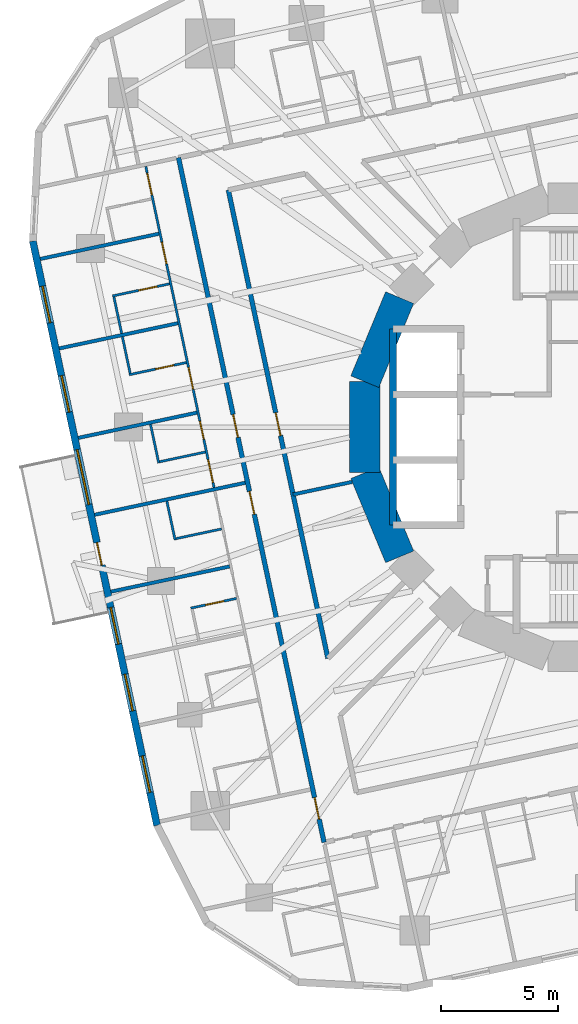
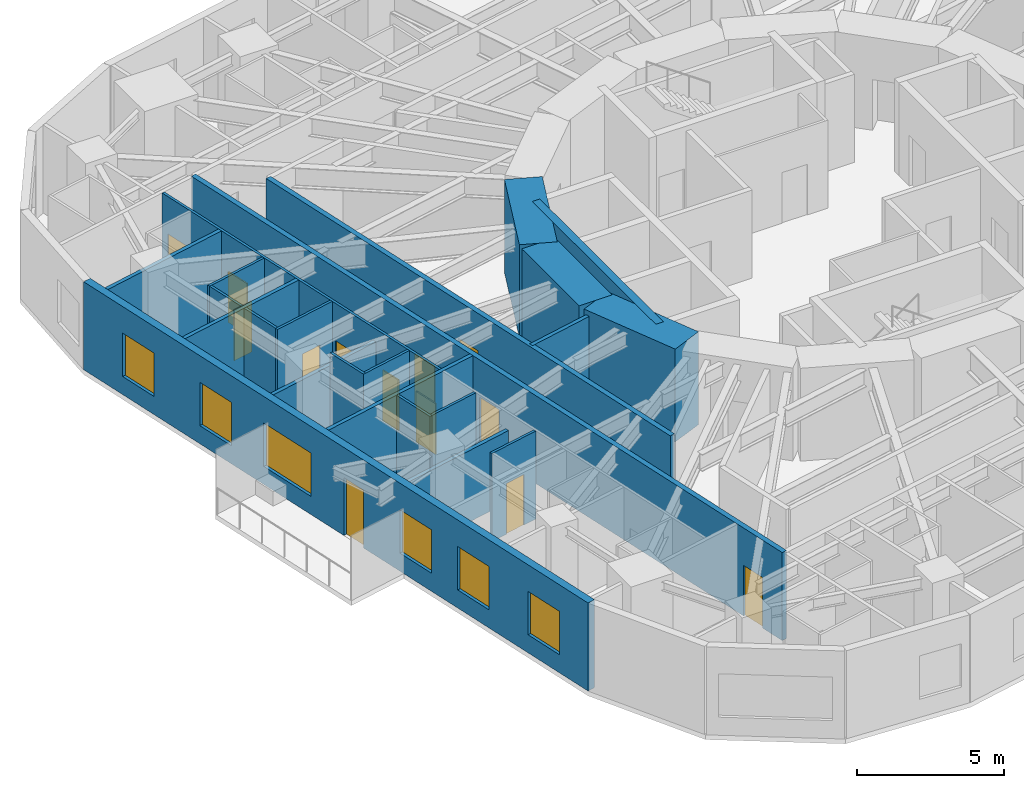
# One storey, part 6 of 14: 23 walls, 13 doors, 6 windows, 19 openings.
"""IFC4 building model written with IfcOpenShell, lengths in metres."""

from ifc_helpers import new_model, si_unit, direction, frame, frame_2d, origin, place, context, subcontext, project, spatial, rectangle, extrude, material, layer, layer_set, type_object, element, fill, save


model = new_model("IFC4")

# Units and contexts
model_context = context("Model", 3, precision=1e-05, world=origin(), true_north=direction((0.0, 1.0)))
body_context = subcontext(model_context, "Body", "Model", "MODEL_VIEW")
ifc_project = project(units=[si_unit("LENGTHUNIT", "METRE"), si_unit("AREAUNIT", "SQUARE_METRE"), si_unit("VOLUMEUNIT", "CUBIC_METRE"), si_unit("PLANEANGLEUNIT", "RADIAN"), si_unit("MASSUNIT", "GRAM", prefix="KILO")], contexts=[model_context])

# Site, building, storey
site_placement = place(None, origin())
site = spatial("IfcSite", under=ifc_project, at=site_placement, CompositionType="ELEMENT")
building_placement = place(site_placement, origin())
building = spatial("IfcBuilding", under=site, at=building_placement, Name="Nakasero Lantern House", CompositionType="ELEMENT")
storey_placement = place(building_placement, frame((0.0, 0.0, 128.10009765625)))
storey = spatial("IfcBuildingStorey", under=building, at=storey_placement, Name="L31", CompositionType="ELEMENT", Elevation=128.10009765625)

# Wall, openings, doors
ifc_material_1 = material(Name="Blockwork", Category="masonry")
ifc_layer_1 = layer(ifc_material_1, 0.10009765625)
ifc_layer_set_1 = layer_set([ifc_layer_1], Name="Cluster hall wall 100")
wall_type_1 = type_object("IfcWallType", Name="Cluster hall wall 100", PredefinedType="PARTITIONING", material=ifc_layer_set_1)
wall_1_placement = place(storey_placement, frame((-19.193603515625, 11.1787109375, 0.0), z_axis=(0.0, 0.0, 1.0), x_axis=(0.207904606415, -0.978149106543, 0.0)))
wall_1 = element("IfcWall", 1, at=wall_1_placement, inside=storey, type_object=wall_type_1, Name="Cluster hall wall L31 HW2-0", PredefinedType="PARTITIONING", context=body_context, shape_type="SweptSolid", body=[
    extrude(rectangle(XDim=14.073974609375, YDim=0.10009765625, at=frame_2d((7.037109375, 0.0))), origin(), (0.0, 0.0, 1.0), 3.64990234375),
])
opening_1_placement = place(wall_1_placement, frame((12.848876953125, 0.0, 0.0)))
opening_1 = element("IfcOpeningElement", 2, at=opening_1_placement, cuts=wall_1, Name="Opening D03", PredefinedType="OPENING", context=body_context, shape_type="SweptSolid", body=[
    extrude(rectangle(XDim=1.0, YDim=2.10009765625, at=frame_2d((0.5, 1.050048828125))), frame((0.0, 0.070068359375, 0.0), z_axis=(0.0, -1.0, 0.0), x_axis=(1.0, 0.0, 0.0)), (0.0, 0.0, 1.0), 0.14013671875),
])
opening_2_placement = place(wall_1_placement, frame((11.155029296875, 0.0, 0.0)))
opening_2 = element("IfcOpeningElement", 3, at=opening_2_placement, cuts=wall_1, Name="Opening D02", PredefinedType="OPENING", context=body_context, shape_type="SweptSolid", body=[
    extrude(rectangle(XDim=0.800048828125, YDim=2.10009765625, at=frame_2d((0.39990234375, 1.050048828125))), frame((0.0, 0.070068359375, 0.0), z_axis=(0.0, -1.0, 0.0), x_axis=(1.0, 0.0, 0.0)), (0.0, 0.0, 1.0), 0.14013671875),
])
opening_3_placement = place(wall_1_placement, frame((0.300048828125, 0.0, 0.0)))
opening_3 = element("IfcOpeningElement", 4, at=opening_3_placement, cuts=wall_1, Name="Opening D01", PredefinedType="OPENING", context=body_context, shape_type="SweptSolid", body=[
    extrude(rectangle(XDim=0.949951171875, YDim=2.10009765625, at=frame_2d((0.47509765625, 1.050048828125))), frame((0.0, 0.070068359375, 0.0), z_axis=(0.0, -1.0, 0.0), x_axis=(1.0, 0.0, 0.0)), (0.0, 0.0, 1.0), 0.14013671875),
])
opening_4_placement = place(wall_1_placement, frame((3.316162109375, 0.0, 0.0)))
opening_4 = element("IfcOpeningElement", 5, at=opening_4_placement, cuts=wall_1, Name="Opening D01", PredefinedType="OPENING", context=body_context, shape_type="SweptSolid", body=[
    extrude(rectangle(XDim=0.949951171875, YDim=2.10009765625, at=frame_2d((0.47509765625, 1.050048828125))), frame((0.0, 0.070068359375, 0.0), z_axis=(0.0, -1.0, 0.0), x_axis=(1.0, 0.0, 0.0)), (0.0, 0.0, 1.0), 0.14013671875),
])
opening_5_placement = place(wall_1_placement, frame((8.810546875, 0.0, 0.0)))
opening_5 = element("IfcOpeningElement", 6, at=opening_5_placement, cuts=wall_1, Name="Opening D01", PredefinedType="OPENING", context=body_context, shape_type="SweptSolid", body=[
    extrude(rectangle(XDim=0.949951171875, YDim=2.10009765625, at=frame_2d((0.47509765625, 1.050048828125))), frame((0.0, 0.070068359375, 0.0), z_axis=(0.0, -1.0, 0.0), x_axis=(1.0, 0.0, 0.0)), (0.0, 0.0, 1.0), 0.14013671875),
])
ifc_material_2 = material(Name="Timber C24", Category="wood")
door_type_1 = type_object("IfcDoorType", Name="Bedroom door FD30S 950", OperationType="SINGLE_SWING_LEFT", PredefinedType="DOOR", material=ifc_material_2)
door_1_placement = place(opening_3_placement, origin())
door_1 = element("IfcDoor", 7, at=door_1_placement, inside=storey, type_object=door_type_1, Name="Door L31 D2-00", OperationType="SINGLE_SWING_LEFT", OverallHeight=2.10009765625, OverallWidth=0.949951171875, PredefinedType="DOOR", context=body_context, shape_type="SweptSolid", body=[
    extrude(rectangle(XDim=0.949951171875, YDim=2.10009765625, at=frame_2d((0.47509765625, 1.050048828125))), frame((0.0, 0.02490234375, 0.0), z_axis=(0.0, -1.0, 0.0), x_axis=(1.0, 0.0, 0.0)), (0.0, 0.0, 1.0), 0.050048828125),
])
fill(opening_3, door_1)
door_2_placement = place(opening_4_placement, origin())
door_2 = element("IfcDoor", 8, at=door_2_placement, inside=storey, type_object=door_type_1, Name="Door L31 D2-01", OperationType="SINGLE_SWING_LEFT", OverallHeight=2.10009765625, OverallWidth=0.949951171875, PredefinedType="DOOR", context=body_context, shape_type="SweptSolid", body=[
    extrude(rectangle(XDim=0.949951171875, YDim=2.10009765625, at=frame_2d((0.47509765625, 1.050048828125))), frame((0.0, 0.02490234375, 0.0), z_axis=(0.0, -1.0, 0.0), x_axis=(1.0, 0.0, 0.0)), (0.0, 0.0, 1.0), 0.050048828125),
])
fill(opening_4, door_2)
door_3_placement = place(opening_5_placement, origin())
door_3 = element("IfcDoor", 9, at=door_3_placement, inside=storey, type_object=door_type_1, Name="Door L31 D2-02", OperationType="SINGLE_SWING_RIGHT", OverallHeight=2.10009765625, OverallWidth=0.949951171875, PredefinedType="DOOR", context=body_context, shape_type="SweptSolid", body=[
    extrude(rectangle(XDim=0.949951171875, YDim=2.10009765625, at=frame_2d((0.47509765625, 1.050048828125))), frame((0.0, 0.02490234375, 0.0), z_axis=(0.0, -1.0, 0.0), x_axis=(1.0, 0.0, 0.0)), (0.0, 0.0, 1.0), 0.050048828125),
])
fill(opening_5, door_3)
ifc_material_3 = material(Name="Timber C24", Category="wood")
door_type_2 = type_object("IfcDoorType", Name="En-suite door 800", OperationType="SINGLE_SWING_RIGHT", PredefinedType="DOOR", material=ifc_material_3)
door_4_placement = place(opening_2_placement, origin())
door_4 = element("IfcDoor", 10, at=door_4_placement, inside=storey, type_object=door_type_2, Name="Door L31 DSH2-0", OperationType="SINGLE_SWING_RIGHT", OverallHeight=2.10009765625, OverallWidth=0.800048828125, PredefinedType="DOOR", context=body_context, shape_type="SweptSolid", body=[
    extrude(rectangle(XDim=0.800048828125, YDim=2.10009765625, at=frame_2d((0.39990234375, 1.050048828125))), frame((0.0, 0.02490234375, 0.0), z_axis=(0.0, -1.0, 0.0), x_axis=(1.0, 0.0, 0.0)), (0.0, 0.0, 1.0), 0.050048828125),
])
fill(opening_2, door_4)
ifc_material_4 = material(Name="Timber C24", Category="wood")
door_type_3 = type_object("IfcDoorType", Name="Lounge door FD30S 1000", OperationType="SINGLE_SWING_LEFT", PredefinedType="DOOR", material=ifc_material_4)
door_5_placement = place(opening_1_placement, origin())
door_5 = element("IfcDoor", 11, at=door_5_placement, inside=storey, type_object=door_type_3, Name="Door L31 DH2-0", OperationType="SINGLE_SWING_RIGHT", OverallHeight=2.10009765625, OverallWidth=1.0, PredefinedType="DOOR", context=body_context, shape_type="SweptSolid", body=[
    extrude(rectangle(XDim=1.0, YDim=2.10009765625, at=frame_2d((0.5, 1.050048828125))), frame((0.0, 0.02490234375, 0.0), z_axis=(0.0, -1.0, 0.0), x_axis=(1.0, 0.0, 0.0)), (0.0, 0.0, 1.0), 0.050048828125),
])
fill(opening_1, door_5)

# Walls
ifc_material_5 = material(Name="Concrete C50/60", Category="concrete")
ifc_layer_2 = layer(ifc_material_5, 0.300048828125)
ifc_layer_set_2 = layer_set([ifc_layer_2], Name="Core inner wall 300")
wall_type_2 = type_object("IfcWallType", Name="Core inner wall 300", PredefinedType="SHEAR", material=ifc_layer_set_2)
wall_2_placement = place(storey_placement, frame((-8.60009765625, -4.199951171875, 0.0), z_axis=(0.0, 0.0, 1.0), x_axis=(0.0, 1.0, 0.0)))
element("IfcWall", 12, at=wall_2_placement, inside=storey, type_object=wall_type_2, Name="Core inner wall L31 LWB", PredefinedType="SHEAR", context=body_context, shape_type="SweptSolid", body=[
    extrude(rectangle(XDim=8.39990234375, YDim=0.300048828125, at=frame_2d((4.199951171875, 0.0))), origin(), (0.0, 0.0, 1.0), 3.849853515625),
])
ifc_material_6 = material(Name="Concrete C50/60", Category="concrete")
ifc_layer_3 = layer(ifc_material_6, 1.300048828125)
ifc_layer_set_3 = layer_set([ifc_layer_3], Name="Core wall 1300")
wall_type_3 = type_object("IfcWallType", Name="Core wall 1300", PredefinedType="SHEAR", material=ifc_layer_set_3)
for number, where, z_axis, x_axis, name in (
    (13, (-8.314697265625, 5.5556640625, 0.0), (0.0, 0.0, 1.0), (-0.382690736062, -0.923876507187, 0.0), "Core wall L31 facet 7"),
    (14, (-9.807861328125, 1.950927734375, 0.0), (0.0, 0.0, 1.0), (0.0, -1.0, 0.0), "Core wall L31 facet 8"),
    (15, (-9.807861328125, -1.950927734375, 0.0), (0.0, 0.0, 1.0), (0.382690736062, -0.923876507187, 0.0), "Core wall L31 facet 9"),
):
    element("IfcWall", number, at=place(storey_placement, frame(where, z_axis=z_axis, x_axis=x_axis)), inside=storey, type_object=wall_type_3, Name=name, PredefinedType="SHEAR", context=body_context, shape_type="SweptSolid", body=[
        extrude(rectangle(XDim=3.90185546875, YDim=1.300048828125, at=frame_2d((1.950927734375, 0.0))), origin(), (0.0, 0.0, 1.0), 3.849853515625),
    ])

# Wall, openings, doors
ifc_material_7 = material(Name="Blockwork", Category="masonry")
ifc_layer_4 = layer(ifc_material_7, 0.199951171875)
ifc_layer_set_4 = layer_set([ifc_layer_4], Name="Corridor wall 200")
wall_type_4 = type_object("IfcWallType", Name="Corridor wall 200", PredefinedType="PARTITIONING", material=ifc_layer_set_4)
wall_3_placement = place(storey_placement, frame((-17.790771484375, 11.553466796875, 0.0), z_axis=(0.0, 0.0, 1.0), x_axis=(0.207911508826, -0.978147639417, 0.0)))
wall_3 = element("IfcWall", 16, at=wall_3_placement, inside=storey, type_object=wall_type_4, Name="Corridor wall L31 CW2", PredefinedType="PARTITIONING", context=body_context, shape_type="SweptSolid", body=[
    extrude(rectangle(XDim=29.999755859375, YDim=0.199951171875, at=frame_2d((15.0, 0.0))), origin(), (0.0, 0.0, 1.0), 3.64990234375),
])
opening_6_placement = place(wall_3_placement, frame((11.255126953125, 0.0, 0.0)))
opening_6 = element("IfcOpeningElement", 17, at=opening_6_placement, cuts=wall_3, Name="Opening D14", PredefinedType="OPENING", context=body_context, shape_type="SweptSolid", body=[
    extrude(rectangle(XDim=1.0, YDim=2.10009765625, at=frame_2d((0.5, 1.050048828125))), frame((0.0, 0.119873046875, 0.0), z_axis=(0.0, -1.0, 0.0), x_axis=(1.0, 0.0, 0.0)), (0.0, 0.0, 1.0), 0.239990234375),
])
opening_7_placement = place(wall_3_placement, frame((14.623779296875, 0.0, 0.0)))
opening_7 = element("IfcOpeningElement", 18, at=opening_7_placement, cuts=wall_3, Name="Opening D14", PredefinedType="OPENING", context=body_context, shape_type="SweptSolid", body=[
    extrude(rectangle(XDim=1.0, YDim=2.10009765625, at=frame_2d((0.5, 1.050048828125))), frame((0.0, 0.119873046875, 0.0), z_axis=(0.0, -1.0, 0.0), x_axis=(1.0, 0.0, 0.0)), (0.0, 0.0, 1.0), 0.239990234375),
])
opening_8_placement = place(wall_3_placement, frame((28.038330078125, 0.0, 0.0)))
opening_8 = element("IfcOpeningElement", 19, at=opening_8_placement, cuts=wall_3, Name="Opening D01", PredefinedType="OPENING", context=body_context, shape_type="SweptSolid", body=[
    extrude(rectangle(XDim=0.949951171875, YDim=2.10009765625, at=frame_2d((0.47509765625, 1.050048828125))), frame((0.0, 0.119873046875, 0.0), z_axis=(0.0, -1.0, 0.0), x_axis=(1.0, 0.0, 0.0)), (0.0, 0.0, 1.0), 0.239990234375),
])
door_6_placement = place(opening_8_placement, origin())
door_6 = element("IfcDoor", 20, at=door_6_placement, inside=storey, type_object=door_type_1, Name="Door L31 D2-08", OperationType="SINGLE_SWING_RIGHT", OverallHeight=2.10009765625, OverallWidth=0.949951171875, PredefinedType="DOOR", context=body_context, shape_type="SweptSolid", body=[
    extrude(rectangle(XDim=0.949951171875, YDim=2.10009765625, at=frame_2d((0.47509765625, 1.050048828125))), frame((0.0, 0.02490234375, 0.0), z_axis=(0.0, -1.0, 0.0), x_axis=(1.0, 0.0, 0.0)), (0.0, 0.0, 1.0), 0.050048828125),
])
fill(opening_8, door_6)
ifc_material_8 = material(Name="Timber C24", Category="wood")
door_type_4 = type_object("IfcDoorType", Name="Cluster entrance door FD30S 1000", OperationType="SINGLE_SWING_LEFT", PredefinedType="DOOR", material=ifc_material_8)
door_7_placement = place(opening_6_placement, origin())
door_7 = element("IfcDoor", 21, at=door_7_placement, inside=storey, type_object=door_type_4, Name="Door L31 DF2-0", OperationType="SINGLE_SWING_LEFT", OverallHeight=2.10009765625, OverallWidth=1.0, PredefinedType="DOOR", context=body_context, shape_type="SweptSolid", body=[
    extrude(rectangle(XDim=1.0, YDim=2.10009765625, at=frame_2d((0.5, 1.050048828125))), frame((0.0, 0.02490234375, 0.0), z_axis=(0.0, -1.0, 0.0), x_axis=(1.0, 0.0, 0.0)), (0.0, 0.0, 1.0), 0.050048828125),
])
fill(opening_6, door_7)
door_8_placement = place(opening_7_placement, origin())
door_8 = element("IfcDoor", 22, at=door_8_placement, inside=storey, type_object=door_type_4, Name="Door L31 DF2-1", OperationType="SINGLE_SWING_RIGHT", OverallHeight=2.10009765625, OverallWidth=1.0, PredefinedType="DOOR", context=body_context, shape_type="SweptSolid", body=[
    extrude(rectangle(XDim=1.0, YDim=2.10009765625, at=frame_2d((0.5, 1.050048828125))), frame((0.0, 0.02490234375, 0.0), z_axis=(0.0, -1.0, 0.0), x_axis=(1.0, 0.0, 0.0)), (0.0, 0.0, 1.0), 0.050048828125),
])
fill(opening_7, door_8)

# Wall, opening, door
wall_4_placement = place(storey_placement, frame((-15.656005859375, 10.1669921875, 0.0), z_axis=(0.0, 0.0, 1.0), x_axis=(0.207910266073, -0.978147903572, 0.0)))
wall_4 = element("IfcWall", 23, at=wall_4_placement, inside=storey, type_object=wall_type_4, Name="Corridor wall L31 IW2-0", PredefinedType="PARTITIONING", context=body_context, shape_type="SweptSolid", body=[
    extrude(rectangle(XDim=20.520263671875, YDim=0.199951171875, at=frame_2d((10.26025390625, 0.0))), origin(), (0.0, 0.0, 1.0), 3.64990234375),
])
opening_9_placement = place(wall_4_placement, frame((9.760009765625, 0.0, 0.0)))
opening_9 = element("IfcOpeningElement", 24, at=opening_9_placement, cuts=wall_4, Name="Opening D07", PredefinedType="OPENING", context=body_context, shape_type="SweptSolid", body=[
    extrude(rectangle(XDim=1.0, YDim=2.10009765625, at=frame_2d((0.5, 1.050048828125))), frame((0.0, 0.119873046875, 0.0), z_axis=(0.0, -1.0, 0.0), x_axis=(1.0, 0.0, 0.0)), (0.0, 0.0, 1.0), 0.239990234375),
])
ifc_material_9 = material(Name="Timber C24", Category="wood")
door_type_5 = type_object("IfcDoorType", Name="Room door FD30S 1000", OperationType="SINGLE_SWING_LEFT", PredefinedType="DOOR", material=ifc_material_9)
door_9_placement = place(opening_9_placement, origin())
door_9 = element("IfcDoor", 25, at=door_9_placement, inside=storey, type_object=door_type_5, Name="Door L31 DI6", OperationType="SINGLE_SWING_RIGHT", OverallHeight=2.10009765625, OverallWidth=1.0, PredefinedType="DOOR", context=body_context, shape_type="SweptSolid", body=[
    extrude(rectangle(XDim=1.0, YDim=2.10009765625, at=frame_2d((0.5, 1.050048828125))), frame((0.0, 0.02490234375, 0.0), z_axis=(0.0, -1.0, 0.0), x_axis=(1.0, 0.0, 0.0)), (0.0, 0.0, 1.0), 0.050048828125),
])
fill(opening_9, door_9)

# Walls
ifc_material_10 = material(Name="Blockwork", Category="masonry")
ifc_layer_5 = layer(ifc_material_10, 0.10009765625)
ifc_layer_set_5 = layer_set([ifc_layer_5], Name="En-suite wall 100")
wall_type_5 = type_object("IfcWallType", Name="En-suite wall 100", PredefinedType="PARTITIONING", material=ifc_layer_set_5)
wall_5_placement = place(storey_placement, frame((-16.642578125, -1.0634765625, 0.0), z_axis=(0.0, 0.0, 1.0), x_axis=(-0.978134617382, -0.207972763311, 0.0)))
element("IfcWall", 26, at=wall_5_placement, inside=storey, type_object=wall_type_5, Name="En-suite wall L31 SS2-0", PredefinedType="PARTITIONING", context=body_context, shape_type="SweptSolid", body=[
    extrude(rectangle(XDim=2.10009765625, YDim=0.10009765625, at=frame_2d((1.050048828125, 0.0))), origin(), (0.0, 0.0, 1.0), 3.64990234375),
])
wall_6_placement = place(storey_placement, frame((-18.99072265625, 0.124267578125, 0.0), z_axis=(0.0, 0.0, 1.0), x_axis=(0.207812379357, -0.978168704767, 0.0)))
element("IfcWall", 27, at=wall_6_placement, inside=storey, type_object=wall_type_5, Name="En-suite wall L31 SE2-0", PredefinedType="PARTITIONING", context=body_context, shape_type="SweptSolid", body=[
    extrude(rectangle(XDim=1.699951171875, YDim=0.10009765625, at=frame_2d((0.85009765625, 0.0))), origin(), (0.0, 0.0, 1.0), 3.64990234375),
])
wall_7_placement = place(storey_placement, frame((-15.942138671875, -4.358642578125, 0.0), z_axis=(0.0, 0.0, 1.0), x_axis=(-0.97815826, -0.207861536591, 0.0)))
element("IfcWall", 28, at=wall_7_placement, inside=storey, type_object=wall_type_5, Name="En-suite wall L31 SS2-1", PredefinedType="PARTITIONING", context=body_context, shape_type="SweptSolid", body=[
    extrude(rectangle(XDim=2.10009765625, YDim=0.10009765625, at=frame_2d((1.050048828125, 0.0))), origin(), (0.0, 0.0, 1.0), 3.64990234375),
])
wall_8_placement = place(storey_placement, frame((-18.29052734375, -3.1708984375, 0.0), z_axis=(0.0, 0.0, 1.0), x_axis=(0.207949787024, -0.97813950236, 0.0)))
element("IfcWall", 29, at=wall_8_placement, inside=storey, type_object=wall_type_5, Name="En-suite wall L31 SE2-1", PredefinedType="PARTITIONING", context=body_context, shape_type="SweptSolid", body=[
    extrude(rectangle(XDim=1.699951171875, YDim=0.10009765625, at=frame_2d((0.85009765625, 0.0))), origin(), (0.0, 0.0, 1.0), 3.64990234375),
])

# Wall, opening, door
wall_9_placement = place(storey_placement, frame((-18.1748046875, 6.14501953125, 0.0), z_axis=(0.0, 0.0, 1.0), x_axis=(-0.978127070851, -0.208008252887, 0.0)))
wall_9 = element("IfcWall", 30, at=wall_9_placement, inside=storey, type_object=wall_type_5, Name="En-suite wall L31 ES2-01", PredefinedType="PARTITIONING", context=body_context, shape_type="SweptSolid", body=[
    extrude(rectangle(XDim=2.5, YDim=0.10009765625, at=frame_2d((1.25, 0.0))), origin(), (0.0, 0.0, 1.0), 3.64990234375),
])
opening_10_placement = place(wall_9_placement, frame((0.550048828125, 0.0, 0.0)))
opening_10 = element("IfcOpeningElement", 31, at=opening_10_placement, cuts=wall_9, Name="Opening D02", PredefinedType="OPENING", context=body_context, shape_type="SweptSolid", body=[
    extrude(rectangle(XDim=0.800048828125, YDim=2.10009765625, at=frame_2d((0.39990234375, 1.050048828125))), frame((0.0, 0.070068359375, 0.0), z_axis=(0.0, -1.0, 0.0), x_axis=(1.0, 0.0, 0.0)), (0.0, 0.0, 1.0), 0.14013671875),
])
door_10_placement = place(opening_10_placement, origin())
door_10 = element("IfcDoor", 32, at=door_10_placement, inside=storey, type_object=door_type_2, Name="Door L31 DE2-01", OperationType="SINGLE_SWING_LEFT", OverallHeight=2.10009765625, OverallWidth=0.800048828125, PredefinedType="DOOR", context=body_context, shape_type="SweptSolid", body=[
    extrude(rectangle(XDim=0.800048828125, YDim=2.10009765625, at=frame_2d((0.39990234375, 1.050048828125))), frame((0.0, 0.02490234375, 0.0), z_axis=(0.0, -1.0, 0.0), x_axis=(1.0, 0.0, 0.0)), (0.0, 0.0, 1.0), 0.050048828125),
])
fill(opening_10, door_10)

# Wall
wall_10_placement = place(storey_placement, frame((-20.560791015625, 5.586669921875, 0.0), z_axis=(0.0, 0.0, 1.0), x_axis=(0.207809485755, -0.97816931951, 0.0)))
element("IfcWall", 33, at=wall_10_placement, inside=storey, type_object=wall_type_5, Name="En-suite wall L31 EE2-01", PredefinedType="PARTITIONING", context=body_context, shape_type="SweptSolid", body=[
    extrude(rectangle(XDim=1.60009765625, YDim=0.10009765625, at=frame_2d((0.800048828125, 0.0))), origin(), (0.0, 0.0, 1.0), 3.64990234375),
])

# Wall, opening, door
wall_11_placement = place(storey_placement, frame((-17.45751953125, 2.770263671875, 0.0), z_axis=(0.0, 0.0, 1.0), x_axis=(-0.978146935828, -0.207914818928, 0.0)))
wall_11 = element("IfcWall", 34, at=wall_11_placement, inside=storey, type_object=wall_type_5, Name="En-suite wall L31 ES2-02", PredefinedType="PARTITIONING", context=body_context, shape_type="SweptSolid", body=[
    extrude(rectangle(XDim=2.5, YDim=0.10009765625, at=frame_2d((1.25, 0.0))), origin(), (0.0, 0.0, 1.0), 3.64990234375),
])
opening_11_placement = place(wall_11_placement, frame((0.550048828125, 0.0, 0.0)))
opening_11 = element("IfcOpeningElement", 35, at=opening_11_placement, cuts=wall_11, Name="Opening D02", PredefinedType="OPENING", context=body_context, shape_type="SweptSolid", body=[
    extrude(rectangle(XDim=0.800048828125, YDim=2.10009765625, at=frame_2d((0.39990234375, 1.050048828125))), frame((0.0, 0.070068359375, 0.0), z_axis=(0.0, -1.0, 0.0), x_axis=(1.0, 0.0, 0.0)), (0.0, 0.0, 1.0), 0.14013671875),
])
door_11_placement = place(opening_11_placement, origin())
door_11 = element("IfcDoor", 36, at=door_11_placement, inside=storey, type_object=door_type_2, Name="Door L31 DE2-02", OperationType="SINGLE_SWING_LEFT", OverallHeight=2.10009765625, OverallWidth=0.800048828125, PredefinedType="DOOR", context=body_context, shape_type="SweptSolid", body=[
    extrude(rectangle(XDim=0.800048828125, YDim=2.10009765625, at=frame_2d((0.39990234375, 1.050048828125))), frame((0.0, 0.02490234375, 0.0), z_axis=(0.0, -1.0, 0.0), x_axis=(1.0, 0.0, 0.0)), (0.0, 0.0, 1.0), 0.050048828125),
])
fill(opening_11, door_11)

# Wall
wall_12_placement = place(storey_placement, frame((-20.197021484375, 3.874755859375, 0.0), z_axis=(0.0, 0.0, 1.0), x_axis=(0.207986505584, -0.978131695374, 0.0)))
element("IfcWall", 37, at=wall_12_placement, inside=storey, type_object=wall_type_5, Name="En-suite wall L31 EE2-02", PredefinedType="PARTITIONING", context=body_context, shape_type="SweptSolid", body=[
    extrude(rectangle(XDim=1.599853515625, YDim=0.10009765625, at=frame_2d((0.7998046875, 0.0))), origin(), (0.0, 0.0, 1.0), 3.64990234375),
])

# Wall, opening, door
wall_13_placement = place(storey_placement, frame((-15.30908203125, -7.337158203125, 0.0), z_axis=(0.0, 0.0, 1.0), x_axis=(-0.978152955943, -0.207886494942, 0.0)))
wall_13 = element("IfcWall", 38, at=wall_13_placement, inside=storey, type_object=wall_type_5, Name="En-suite wall L31 ES2-05", PredefinedType="PARTITIONING", context=body_context, shape_type="SweptSolid", body=[
    extrude(rectangle(XDim=2.0, YDim=0.10009765625, at=frame_2d((1.0, 0.0))), origin(), (0.0, 0.0, 1.0), 3.64990234375),
])
opening_12_placement = place(wall_13_placement, frame((0.550048828125, 0.0, 0.0)))
opening_12 = element("IfcOpeningElement", 39, at=opening_12_placement, cuts=wall_13, Name="Opening D02", PredefinedType="OPENING", context=body_context, shape_type="SweptSolid", body=[
    extrude(rectangle(XDim=0.800048828125, YDim=2.10009765625, at=frame_2d((0.39990234375, 1.050048828125))), frame((0.0, 0.070068359375, 0.0), z_axis=(0.0, -1.0, 0.0), x_axis=(1.0, 0.0, 0.0)), (0.0, 0.0, 1.0), 0.14013671875),
])
door_12_placement = place(opening_12_placement, origin())
door_12 = element("IfcDoor", 40, at=door_12_placement, inside=storey, type_object=door_type_2, Name="Door L31 DE2-05", OperationType="SINGLE_SWING_LEFT", OverallHeight=2.10009765625, OverallWidth=0.800048828125, PredefinedType="DOOR", context=body_context, shape_type="SweptSolid", body=[
    extrude(rectangle(XDim=0.800048828125, YDim=2.10009765625, at=frame_2d((0.39990234375, 1.050048828125))), frame((0.0, 0.02490234375, 0.0), z_axis=(0.0, -1.0, 0.0), x_axis=(1.0, 0.0, 0.0)), (0.0, 0.0, 1.0), 0.050048828125),
])
fill(opening_12, door_12)

# Wall, openings, door, windows
ifc_material_11 = material(Name="Aluminium rainscreen on blockwork", Category="masonry")
ifc_layer_6 = layer(ifc_material_11, 0.300048828125)
ifc_layer_set_6 = layer_set([ifc_layer_6], Name="Facade wall 300")
wall_type_6 = type_object("IfcWallType", Name="Facade wall 300", PredefinedType="SOLIDWALL", material=ifc_layer_set_6)
wall_14_placement = place(storey_placement, frame((-24.03369140625, 7.9775390625, 0.0), z_axis=(0.0, 0.0, 1.0), x_axis=(0.207909055127, -0.978148160964, 0.0)))
wall_14 = element("IfcWall", 41, at=wall_14_placement, inside=storey, type_object=wall_type_6, Name="Facade wall L31 FW2S", PredefinedType="SOLIDWALL", context=body_context, shape_type="SweptSolid", body=[
    extrude(rectangle(XDim=25.60009765625, YDim=0.300048828125, at=frame_2d((12.800048828125, 0.0))), origin(), (0.0, 0.0, 1.0), 3.64990234375),
])
opening_13_placement = place(wall_14_placement, frame((1.975830078125, 0.0, 0.75)))
opening_13 = element("IfcOpeningElement", 42, at=opening_13_placement, cuts=wall_14, Name="Opening W01", PredefinedType="OPENING", context=body_context, shape_type="SweptSolid", body=[
    extrude(rectangle(XDim=1.60009765625, YDim=1.800048828125, at=frame_2d((0.800048828125, 0.89990234375))), frame((0.0, 0.169921875, 0.0), z_axis=(0.0, -1.0, 0.0), x_axis=(1.0, 0.0, 0.0)), (0.0, 0.0, 1.0), 0.340087890625),
])
opening_14_placement = place(wall_14_placement, frame((5.8955078125, 0.0, 0.75)))
opening_14 = element("IfcOpeningElement", 43, at=opening_14_placement, cuts=wall_14, Name="Opening W01", PredefinedType="OPENING", context=body_context, shape_type="SweptSolid", body=[
    extrude(rectangle(XDim=1.60009765625, YDim=1.800048828125, at=frame_2d((0.800048828125, 0.89990234375))), frame((0.0, 0.169921875, 0.0), z_axis=(0.0, -1.0, 0.0), x_axis=(1.0, 0.0, 0.0)), (0.0, 0.0, 1.0), 0.340087890625),
])
opening_15_placement = place(wall_14_placement, frame((16.0556640625, 0.0, 0.75)))
opening_15 = element("IfcOpeningElement", 44, at=opening_15_placement, cuts=wall_14, Name="Opening W01", PredefinedType="OPENING", context=body_context, shape_type="SweptSolid", body=[
    extrude(rectangle(XDim=1.60009765625, YDim=1.800048828125, at=frame_2d((0.800048828125, 0.89990234375))), frame((0.0, 0.169921875, 0.0), z_axis=(0.0, -1.0, 0.0), x_axis=(1.0, 0.0, 0.0)), (0.0, 0.0, 1.0), 0.340087890625),
])
opening_16_placement = place(wall_14_placement, frame((18.982177734375, 0.0, 0.75)))
opening_16 = element("IfcOpeningElement", 45, at=opening_16_placement, cuts=wall_14, Name="Opening W01", PredefinedType="OPENING", context=body_context, shape_type="SweptSolid", body=[
    extrude(rectangle(XDim=1.60009765625, YDim=1.800048828125, at=frame_2d((0.800048828125, 0.89990234375))), frame((0.0, 0.169921875, 0.0), z_axis=(0.0, -1.0, 0.0), x_axis=(1.0, 0.0, 0.0)), (0.0, 0.0, 1.0), 0.340087890625),
])
opening_17_placement = place(wall_14_placement, frame((22.554443359375, 0.0, 0.75)))
opening_17 = element("IfcOpeningElement", 46, at=opening_17_placement, cuts=wall_14, Name="Opening W01", PredefinedType="OPENING", context=body_context, shape_type="SweptSolid", body=[
    extrude(rectangle(XDim=1.60009765625, YDim=1.800048828125, at=frame_2d((0.800048828125, 0.89990234375))), frame((0.0, 0.169921875, 0.0), z_axis=(0.0, -1.0, 0.0), x_axis=(1.0, 0.0, 0.0)), (0.0, 0.0, 1.0), 0.340087890625),
])
opening_18_placement = place(wall_14_placement, frame((9.139404296875, 0.0, 0.75)))
opening_18 = element("IfcOpeningElement", 47, at=opening_18_placement, cuts=wall_14, Name="Opening W03", PredefinedType="OPENING", context=body_context, shape_type="SweptSolid", body=[
    extrude(rectangle(XDim=2.39990234375, YDim=1.800048828125, at=frame_2d((1.199951171875, 0.89990234375))), frame((0.0, 0.169921875, 0.0), z_axis=(0.0, -1.0, 0.0), x_axis=(1.0, 0.0, 0.0)), (0.0, 0.0, 1.0), 0.340087890625),
])
opening_19_placement = place(wall_14_placement, frame((13.208251953125, 0.0, 0.0)))
opening_19 = element("IfcOpeningElement", 48, at=opening_19_placement, cuts=wall_14, Name="Opening D04", PredefinedType="OPENING", context=body_context, shape_type="SweptSolid", body=[
    extrude(rectangle(XDim=1.0, YDim=2.39990234375, at=frame_2d((0.5, 1.199951171875))), frame((0.0, 0.169921875, 0.0), z_axis=(0.0, -1.0, 0.0), x_axis=(1.0, 0.0, 0.0)), (0.0, 0.0, 1.0), 0.340087890625),
])
ifc_material_12 = material(Name="Aluminium 6063-T6 and glass", Category="aluminium")
door_type_6 = type_object("IfcDoorType", Name="Balcony door 1000x2400", OperationType="SINGLE_SWING_RIGHT", PredefinedType="DOOR", material=ifc_material_12)
door_13_placement = place(opening_19_placement, origin())
door_13 = element("IfcDoor", 49, at=door_13_placement, inside=storey, type_object=door_type_6, Name="Balcony door L31 DB2", OperationType="SINGLE_SWING_RIGHT", OverallHeight=2.39990234375, OverallWidth=1.0, PredefinedType="DOOR", context=body_context, shape_type="SweptSolid", body=[
    extrude(rectangle(XDim=1.0, YDim=2.39990234375, at=frame_2d((0.5, 1.199951171875))), frame((0.0, 0.02490234375, 0.0), z_axis=(0.0, -1.0, 0.0), x_axis=(1.0, 0.0, 0.0)), (0.0, 0.0, 1.0), 0.050048828125),
])
fill(opening_19, door_13)
ifc_material_13 = material(Name="Aluminium 6063-T6 and glass", Category="aluminium")
window_type_1 = type_object("IfcWindowType", Name="Bedroom window 1600x1800", PartitioningType="SINGLE_PANEL", PredefinedType="WINDOW", material=ifc_material_13)
window_1_placement = place(opening_13_placement, origin())
window_1 = element("IfcWindow", 50, at=window_1_placement, inside=storey, type_object=window_type_1, Name="Window L31 WN2-01", OverallHeight=1.800048828125, OverallWidth=1.60009765625, PartitioningType="SINGLE_PANEL", PredefinedType="WINDOW", context=body_context, shape_type="SweptSolid", body=[
    extrude(rectangle(XDim=1.60009765625, YDim=1.800048828125, at=frame_2d((0.800048828125, 0.89990234375))), frame((0.0, 0.030029296875, 0.0), z_axis=(0.0, -1.0, 0.0), x_axis=(1.0, 0.0, 0.0)), (0.0, 0.0, 1.0), 0.06005859375),
])
fill(opening_13, window_1)
window_2_placement = place(opening_14_placement, origin())
window_2 = element("IfcWindow", 51, at=window_2_placement, inside=storey, type_object=window_type_1, Name="Window L31 WN2-02", OverallHeight=1.800048828125, OverallWidth=1.60009765625, PartitioningType="SINGLE_PANEL", PredefinedType="WINDOW", context=body_context, shape_type="SweptSolid", body=[
    extrude(rectangle(XDim=1.60009765625, YDim=1.800048828125, at=frame_2d((0.800048828125, 0.89990234375))), frame((0.0, 0.030029296875, 0.0), z_axis=(0.0, -1.0, 0.0), x_axis=(1.0, 0.0, 0.0)), (0.0, 0.0, 1.0), 0.06005859375),
])
fill(opening_14, window_2)
window_3_placement = place(opening_15_placement, origin())
window_3 = element("IfcWindow", 52, at=window_3_placement, inside=storey, type_object=window_type_1, Name="Window L31 WN2-05", OverallHeight=1.800048828125, OverallWidth=1.60009765625, PartitioningType="SINGLE_PANEL", PredefinedType="WINDOW", context=body_context, shape_type="SweptSolid", body=[
    extrude(rectangle(XDim=1.60009765625, YDim=1.800048828125, at=frame_2d((0.800048828125, 0.89990234375))), frame((0.0, 0.030029296875, 0.0), z_axis=(0.0, -1.0, 0.0), x_axis=(1.0, 0.0, 0.0)), (0.0, 0.0, 1.0), 0.06005859375),
])
fill(opening_15, window_3)
window_4_placement = place(opening_16_placement, origin())
window_4 = element("IfcWindow", 53, at=window_4_placement, inside=storey, type_object=window_type_1, Name="Window L31 WN2-06", OverallHeight=1.800048828125, OverallWidth=1.60009765625, PartitioningType="SINGLE_PANEL", PredefinedType="WINDOW", context=body_context, shape_type="SweptSolid", body=[
    extrude(rectangle(XDim=1.60009765625, YDim=1.800048828125, at=frame_2d((0.800048828125, 0.89990234375))), frame((0.0, 0.030029296875, 0.0), z_axis=(0.0, -1.0, 0.0), x_axis=(1.0, 0.0, 0.0)), (0.0, 0.0, 1.0), 0.06005859375),
])
fill(opening_16, window_4)
window_5_placement = place(opening_17_placement, origin())
window_5 = element("IfcWindow", 54, at=window_5_placement, inside=storey, type_object=window_type_1, Name="Window L31 WN2-07", OverallHeight=1.800048828125, OverallWidth=1.60009765625, PartitioningType="SINGLE_PANEL", PredefinedType="WINDOW", context=body_context, shape_type="SweptSolid", body=[
    extrude(rectangle(XDim=1.60009765625, YDim=1.800048828125, at=frame_2d((0.800048828125, 0.89990234375))), frame((0.0, 0.030029296875, 0.0), z_axis=(0.0, -1.0, 0.0), x_axis=(1.0, 0.0, 0.0)), (0.0, 0.0, 1.0), 0.06005859375),
])
fill(opening_17, window_5)
ifc_material_14 = material(Name="Aluminium 6063-T6 and glass", Category="aluminium")
window_type_2 = type_object("IfcWindowType", Name="Lounge window 2400x1800", PartitioningType="SINGLE_PANEL", PredefinedType="WINDOW", material=ifc_material_14)
window_6_placement = place(opening_18_placement, origin())
window_6 = element("IfcWindow", 55, at=window_6_placement, inside=storey, type_object=window_type_2, Name="Window L31 WK2", OverallHeight=1.800048828125, OverallWidth=2.39990234375, PartitioningType="SINGLE_PANEL", PredefinedType="WINDOW", context=body_context, shape_type="SweptSolid", body=[
    extrude(rectangle(XDim=2.39990234375, YDim=1.800048828125, at=frame_2d((1.199951171875, 0.89990234375))), frame((0.0, 0.030029296875, 0.0), z_axis=(0.0, -1.0, 0.0), x_axis=(1.0, 0.0, 0.0)), (0.0, 0.0, 1.0), 0.06005859375),
])
fill(opening_18, window_6)

# Walls
ifc_material_15 = material(Name="Blockwork", Category="masonry")
ifc_layer_7 = layer(ifc_material_15, 0.14990234375)
ifc_layer_set_7 = layer_set([ifc_layer_7], Name="Party wall 150")
wall_type_7 = type_object("IfcWallType", Name="Party wall 150", PredefinedType="PARTITIONING", material=ifc_layer_set_7)
for number, where, z_axis, x_axis, name in (
    (56, (-18.631103515625, 8.29150390625, 0.0), (0.0, 0.0, 1.0), (-0.978139873931, -0.207948039247, 0.0), "Party wall L31 PW2-01"),
    (57, (-17.816162109375, 4.45751953125, 0.0), (0.0, 0.0, 1.0), (-0.978151452323, -0.207893569688, 0.0), "Party wall L31 PW2-02"),
):
    element("IfcWall", number, at=place(storey_placement, frame(where, z_axis=z_axis, x_axis=x_axis)), inside=storey, type_object=wall_type_7, Name=name, PredefinedType="PARTITIONING", context=body_context, shape_type="SweptSolid", body=[
        extrude(rectangle(XDim=5.199951171875, YDim=0.14990234375, at=frame_2d((2.60009765625, 0.0))), origin(), (0.0, 0.0, 1.0), 3.64990234375),
    ])
wall_15_placement = place(storey_placement, frame((-17.001220703125, 0.623779296875, 0.0), z_axis=(0.0, 0.0, 1.0), x_axis=(-0.978141904084, -0.207938489641, 0.0)))
element("IfcWall", 58, at=wall_15_placement, inside=storey, type_object=wall_type_7, Name="Party wall L31 PW2-03", PredefinedType="PARTITIONING", context=body_context, shape_type="SweptSolid", body=[
    extrude(rectangle(XDim=5.2001953125, YDim=0.14990234375, at=frame_2d((2.60009765625, 0.0))), origin(), (0.0, 0.0, 1.0), 3.12158203125),
])
wall_16_placement = place(storey_placement, frame((-14.931396484375, -2.38037109375, 0.0), z_axis=(0.0, 0.0, 1.0), x_axis=(-0.97815236361, -0.207889281984, 0.0)))
element("IfcWall", 59, at=wall_16_placement, inside=storey, type_object=wall_type_7, Name="Party wall L31 PW2-04", PredefinedType="PARTITIONING", context=body_context, shape_type="SweptSolid", body=[
    extrude(rectangle(XDim=6.60009765625, YDim=0.14990234375, at=frame_2d((3.300048828125, 0.0))), origin(), (0.0, 0.0, 1.0), 3.64990234375),
])
wall_17_placement = place(storey_placement, frame((-15.600341796875, -5.966552734375, 0.0), z_axis=(0.0, 0.0, 1.0), x_axis=(-0.978151452323, -0.207893569688, 0.0)))
element("IfcWall", 60, at=wall_17_placement, inside=storey, type_object=wall_type_7, Name="Party wall L31 PW2-05", PredefinedType="PARTITIONING", context=body_context, shape_type="SweptSolid", body=[
    extrude(rectangle(XDim=5.199951171875, YDim=0.14990234375, at=frame_2d((2.60009765625, 0.0))), origin(), (0.0, 0.0, 1.0), 2.95703125),
])
wall_18_placement = place(storey_placement, frame((-12.88232421875, -2.88134765625, 0.0), z_axis=(0.0, 0.0, 1.0), x_axis=(0.978137762495, 0.207957970708, 0.0)))
element("IfcWall", 61, at=wall_18_placement, inside=storey, type_object=wall_type_7, Name="Party wall L31 IM2", PredefinedType="PARTITIONING", context=body_context, shape_type="SweptSolid", body=[
    extrude(rectangle(XDim=2.58984375, YDim=0.14990234375, at=frame_2d((1.294921875, 0.0))), origin(), (0.0, 0.0, 1.0), 3.64990234375),
])

save(model, "model.ifc")
